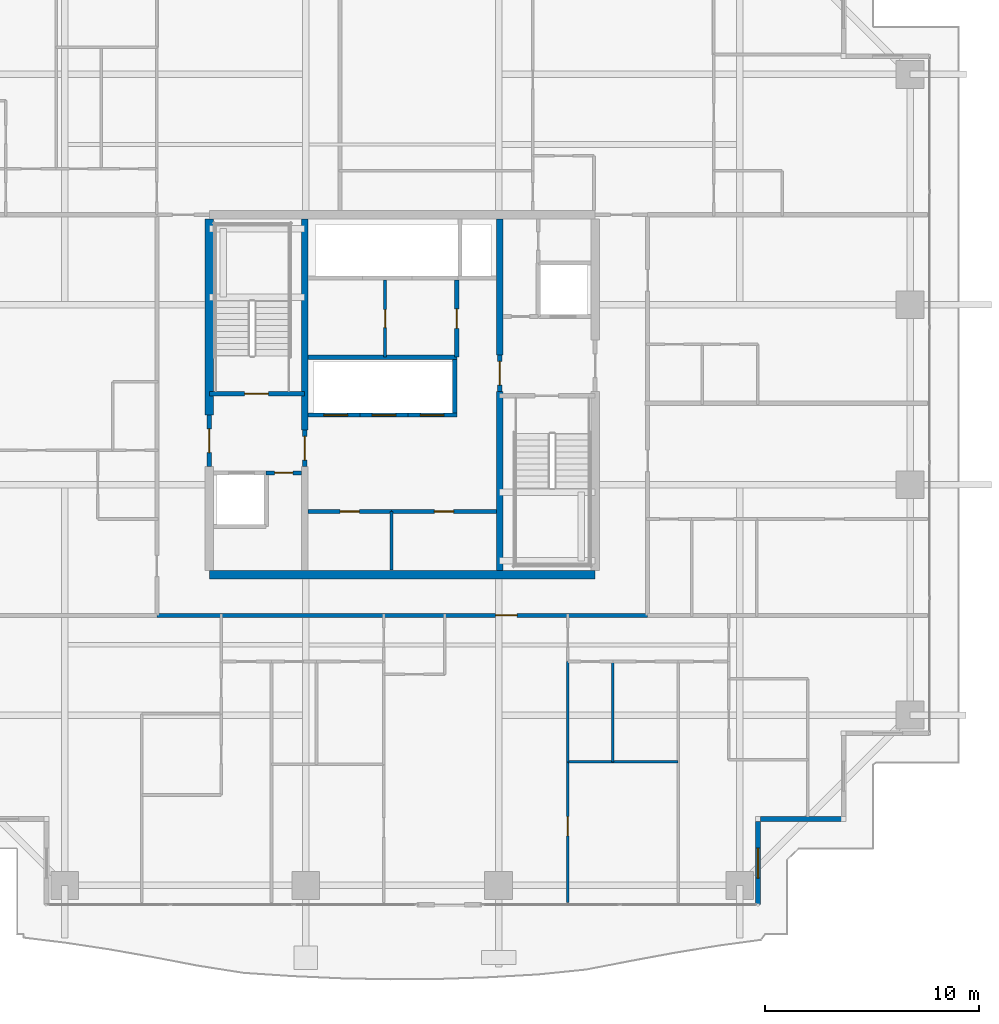
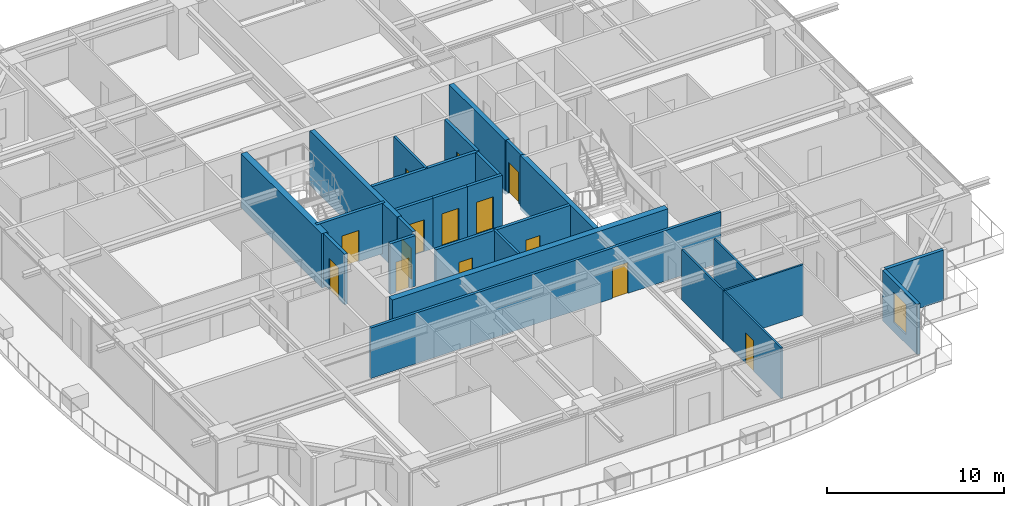
# One storey, part 25 of 34: 27 walls, 14 doors, 1 window, 15 openings.
"""IFC4 building model written with IfcOpenShell, lengths in metres."""

from ifc_helpers import new_model, si_unit, direction, frame, frame_2d, origin, place, context, subcontext, project, spatial, rectangle, extrude, source, transform, mapped, material, layer, layer_set, type_object, element, fill, save


model = new_model("IFC4")

# Units and contexts
model_context = context("Model", 3, precision=1e-05, world=origin(), true_north=direction((0.0, 1.0)))
body_context = subcontext(model_context, "Body", "Model", "MODEL_VIEW")
ifc_project = project(units=[si_unit("LENGTHUNIT", "METRE"), si_unit("AREAUNIT", "SQUARE_METRE"), si_unit("VOLUMEUNIT", "CUBIC_METRE"), si_unit("PLANEANGLEUNIT", "RADIAN"), si_unit("MASSUNIT", "GRAM", prefix="KILO")], contexts=[model_context])

# Site, building, storey
site_placement = place(None, origin())
site = spatial("IfcSite", under=ifc_project, at=site_placement, CompositionType="ELEMENT")
building_placement = place(site_placement, origin())
building = spatial("IfcBuilding", under=site, at=building_placement, Name="Serunith Strait Residences", CompositionType="ELEMENT")
storey_placement = place(building_placement, frame((0.0, 0.0, 187.64990234375)))
storey = spatial("IfcBuildingStorey", under=building, at=storey_placement, Name="L47", CompositionType="ELEMENT", Elevation=187.64990234375)

# Wall, opening, window
ifc_material_1 = material(Name="Pale-Champagne Aluminium Insulated Panel", Category="aluminium")
ifc_layer_1 = layer(ifc_material_1, 0.219970703125, Name="Pale-Champagne Aluminium Insulated Panel")
ifc_layer_set_1 = layer_set([ifc_layer_1], Name="Pale-Champagne Aluminium Insulated Panel")
wall_type_1 = type_object("IfcWallType", Name="EW-ALUM-220", PredefinedType="ELEMENTEDWALL", material=ifc_layer_set_1)
wall_1_placement = place(storey_placement, frame((49.0, 1.39990234375, 0.0), z_axis=(0.0, 0.0, 1.0), x_axis=(0.0, 1.0, 0.0)))
wall_1 = element("IfcWall", 1, at=wall_1_placement, inside=storey, type_object=wall_type_1, Name="L47 Girih Serrated Corner Wall 02", PredefinedType="ELEMENTEDWALL", context=body_context, shape_type="SweptSolid", body=[
    extrude(rectangle(XDim=3.89013671875, YDim=0.219970703125, at=frame_2d((1.945068359375, 0.0))), origin(), (0.0, 0.0, 1.0), 3.47509765625),
])
opening_1_placement = place(wall_1_placement, frame((1.2451171875, 0.0, 0.64990234375)))
opening_1 = element("IfcOpeningElement", 2, at=opening_1_placement, cuts=wall_1, Name="Opening W-03", PredefinedType="OPENING", context=body_context, shape_type="SweptSolid", body=[
    extrude(rectangle(XDim=1.39990234375, YDim=2.050048828125, at=frame_2d((0.699951171875, 1.02490234375))), frame((0.0, 0.1201171875, 0.0), z_axis=(0.0, -1.0, 0.0), x_axis=(1.0, 0.0, 0.0)), (0.0, 0.0, 1.0), 0.239990234375),
])
ifc_material_2 = material(Name="Ceramic-Fritted Operable Aluminium Window Glass", Category="aluminium")
window_type = type_object("IfcWindowType", Name="WIN-C3", PartitioningType="SINGLE_PANEL", PredefinedType="WINDOW", material=ifc_material_2)
shared_shape_1 = source(origin(), body_context, "Body", "SweptSolid", [
    extrude(rectangle(XDim=1.39990234375, YDim=2.050048828125, at=frame_2d((0.699951171875, 1.02490234375))), frame((0.0, 0.030029296875, 0.0), z_axis=(0.0, -1.0, 0.0), x_axis=(1.0, 0.0, 0.0)), (0.0, 0.0, 1.0), 0.06005859375),
])
window_placement = place(opening_1_placement, origin())
window = element("IfcWindow", 3, at=window_placement, inside=storey, type_object=window_type, Name="L47 Corner Operable Fritted Window 02", OverallHeight=2.050048828125, OverallWidth=1.39990234375, PartitioningType="SINGLE_PANEL", PredefinedType="WINDOW", context=body_context, shape_type="MappedRepresentation", body=[
    mapped(shared_shape_1, transform((0.0, 0.0, 0.0), scale=1.0)),
])
fill(opening_1, window)

# Wall
wall_2_placement = place(storey_placement, frame((49.110107421875, 5.39990234375, 0.0), z_axis=(0.0, 0.0, 1.0), x_axis=(1.0, 0.0, 0.0)))
element("IfcWall", 4, at=wall_2_placement, inside=storey, type_object=wall_type_1, Name="L47 Girih Serrated Corner Wall 03", PredefinedType="ELEMENTEDWALL", context=body_context, shape_type="SweptSolid", body=[
    extrude(rectangle(XDim=3.77978515625, YDim=0.219970703125, at=frame_2d((1.889892578125, 0.0))), origin(), (0.0, 0.0, 1.0), 3.47509765625),
])

# Wall, opening, door
ifc_material_3 = material(Name="Fire-rated masonry service closet wall", Category="masonry")
ifc_layer_2 = layer(ifc_material_3, 0.14990234375, Name="Fire-rated masonry service closet wall")
ifc_layer_set_2 = layer_set([ifc_layer_2], Name="Fire-rated masonry service closet wall")
wall_type_2 = type_object("IfcWallType", Name="IW-BOH-150", PredefinedType="PARTITIONING", material=ifc_layer_set_2)
wall_3_placement = place(storey_placement, frame((31.60009765625, 26.949951171875, 0.0), z_axis=(0.0, 0.0, 1.0), x_axis=(0.0, 1.0, 0.0)))
wall_3 = element("IfcWall", 5, at=wall_3_placement, inside=storey, type_object=wall_type_2, Name="L47 Partition Wall 014", PredefinedType="PARTITIONING", context=body_context, shape_type="SweptSolid", body=[
    extrude(rectangle(XDim=3.60009765625, YDim=0.14990234375, at=frame_2d((1.800048828125, 0.0))), origin(), (0.0, 0.0, 1.0), 3.489990234375),
])
opening_2_placement = place(wall_3_placement, frame((1.375, 0.0, 0.0)))
opening_2 = element("IfcOpeningElement", 6, at=opening_2_placement, cuts=wall_3, Name="Opening FD-850", PredefinedType="OPENING", context=body_context, shape_type="SweptSolid", body=[
    extrude(rectangle(XDim=0.85009765625, YDim=2.10009765625, at=frame_2d((0.425048828125, 1.050048828125))), frame((0.0, 0.0849609375, 0.0), z_axis=(0.0, -1.0, 0.0), x_axis=(1.0, 0.0, 0.0)), (0.0, 0.0, 1.0), 0.169921875),
])
ifc_material_4 = material(Name="Powder-coated steel service closet door", Category="steel")
door_type_1 = type_object("IfcDoorType", Name="FD-BOH-850", OperationType="NOTDEFINED", PredefinedType="DOOR", material=ifc_material_4)
shared_shape_2 = source(origin(), body_context, "Body", "SweptSolid", [
    extrude(rectangle(XDim=0.85009765625, YDim=2.10009765625, at=frame_2d((0.425048828125, 1.050048828125))), frame((0.0, 0.02490234375, 0.0), z_axis=(0.0, -1.0, 0.0), x_axis=(1.0, 0.0, 0.0)), (0.0, 0.0, 1.0), 0.050048828125),
])
door_1_placement = place(opening_2_placement, origin())
door_1 = element("IfcDoor", 7, at=door_1_placement, inside=storey, type_object=door_type_1, Name="L47 Zone Telecoms Door", OperationType="SINGLE_SWING_RIGHT", OverallHeight=2.10009765625, OverallWidth=0.85009765625, PredefinedType="DOOR", context=body_context, shape_type="MappedRepresentation", body=[
    mapped(shared_shape_2, transform((0.0, 0.0, 0.0), scale=1.0)),
])
fill(opening_2, door_1)

# Wall
wall_4_placement = place(storey_placement, frame((31.89990234375, 17.02001953125, 0.0), z_axis=(0.0, 0.0, 1.0), x_axis=(0.0, 1.0, 0.0)))
element("IfcWall", 8, at=wall_4_placement, inside=storey, type_object=wall_type_2, Name="L47 Partition Wall 017", PredefinedType="PARTITIONING", context=body_context, shape_type="SweptSolid", body=[
    extrude(rectangle(XDim=2.72998046875, YDim=0.14990234375, at=frame_2d((1.364990234375, 0.0))), origin(), (0.0, 0.0, 1.0), 3.489990234375),
])

# Wall, opening, door
ifc_material_5 = material(Name="Fire-rated acoustic gypsum partition")
ifc_layer_3 = layer(ifc_material_5, 0.179931640625, Name="Fire-rated acoustic gypsum partition")
ifc_layer_set_3 = layer_set([ifc_layer_3], Name="Fire-rated acoustic gypsum partition")
wall_type_3 = type_object("IfcWallType", Name="IW-CORR-180", PredefinedType="PARTITIONING", material=ifc_layer_set_3)
wall_5_placement = place(storey_placement, frame((20.951904296875, 14.89990234375, 0.0), z_axis=(0.0, 0.0, 1.0), x_axis=(1.0, 0.0, 0.0)))
wall_5 = element("IfcWall", 9, at=wall_5_placement, inside=storey, type_object=wall_type_3, Name="L47 Partition Wall 024", PredefinedType="PARTITIONING", context=body_context, shape_type="SweptSolid", body=[
    extrude(rectangle(XDim=22.89599609375, YDim=0.179931640625, at=frame_2d((11.447998046875, 0.0))), origin(), (0.0, 0.0, 1.0), 3.489990234375),
])
opening_3_placement = place(wall_5_placement, frame((15.80908203125, 0.0, 0.0)))
opening_3 = element("IfcOpeningElement", 10, at=opening_3_placement, cuts=wall_5, Name="Opening D-APT1000", PredefinedType="OPENING", context=body_context, shape_type="SweptSolid", body=[
    extrude(rectangle(XDim=1.0, YDim=2.14990234375, at=frame_2d((0.5, 1.074951171875))), frame((0.0, 0.10009765625, 0.0), z_axis=(0.0, -1.0, 0.0), x_axis=(1.0, 0.0, 0.0)), (0.0, 0.0, 1.0), 0.199951171875),
])
ifc_material_6 = material(Name="Solid timber engineered fire door", Category="wood")
door_type_2 = type_object("IfcDoorType", Name="ID-APT-1000", OperationType="NOTDEFINED", PredefinedType="DOOR", material=ifc_material_6)
shared_shape_3 = source(origin(), body_context, "Body", "SweptSolid", [
    extrude(rectangle(XDim=1.0, YDim=2.14990234375, at=frame_2d((0.5, 1.074951171875))), frame((0.0, 0.02490234375, 0.0), z_axis=(0.0, -1.0, 0.0), x_axis=(1.0, 0.0, 0.0)), (0.0, 0.0, 1.0), 0.050048828125),
])
door_2_placement = place(opening_3_placement, origin())
door_2 = element("IfcDoor", 11, at=door_2_placement, inside=storey, type_object=door_type_2, Name="L47 Unit 01 Entrance Door", OperationType="SINGLE_SWING_LEFT", OverallHeight=2.14990234375, OverallWidth=1.0, PredefinedType="DOOR", context=body_context, shape_type="MappedRepresentation", body=[
    mapped(shared_shape_3, transform((0.0, 0.0, 0.0), scale=1.0)),
])
fill(opening_3, door_2)

ifc_material_7 = material(Name="Lightweight steel-stud gypsum partition", Category="steel")
ifc_layer_4 = layer(ifc_material_7, 0.1201171875, Name="Lightweight steel-stud gypsum partition")
ifc_layer_set_4 = layer_set([ifc_layer_4], Name="Lightweight steel-stud gypsum partition")
wall_type_4 = type_object("IfcWallType", Name="IW-PART-120", PredefinedType="PARTITIONING", material=ifc_layer_set_4)
wall_6_placement = place(storey_placement, frame((40.1298828125, 1.4951171875, 0.0), z_axis=(0.0, 0.0, 1.0), x_axis=(0.0, 1.0, 0.0)))
wall_6 = element("IfcWall", 12, at=wall_6_placement, inside=storey, type_object=wall_type_4, Name="L47 Partition Wall 047", PredefinedType="PARTITIONING", context=body_context, shape_type="SweptSolid", body=[
    extrude(rectangle(XDim=6.56787109375, YDim=0.1201171875, at=frame_2d((3.283935546875, 0.0))), origin(), (0.0, 0.0, 1.0), 3.489990234375),
])
opening_4_placement = place(wall_6_placement, frame((3.116943359375, 0.0, 0.0)))
opening_4 = element("IfcOpeningElement", 13, at=opening_4_placement, cuts=wall_6, Name="Opening D-RM900", PredefinedType="OPENING", context=body_context, shape_type="SweptSolid", body=[
    extrude(rectangle(XDim=0.89990234375, YDim=2.10009765625, at=frame_2d((0.449951171875, 1.050048828125))), frame((0.0, 0.070068359375, 0.0), z_axis=(0.0, -1.0, 0.0), x_axis=(1.0, 0.0, 0.0)), (0.0, 0.0, 1.0), 0.14013671875),
])
ifc_material_8 = material(Name="Engineered timber flush bedroom door", Category="wood")
door_type_3 = type_object("IfcDoorType", Name="ID-ROOM-900", OperationType="NOTDEFINED", PredefinedType="DOOR", material=ifc_material_8)
shared_shape_4 = source(origin(), body_context, "Body", "SweptSolid", [
    extrude(rectangle(XDim=0.89990234375, YDim=2.10009765625, at=frame_2d((0.449951171875, 1.050048828125))), frame((0.0, 0.02490234375, 0.0), z_axis=(0.0, -1.0, 0.0), x_axis=(1.0, 0.0, 0.0)), (0.0, 0.0, 1.0), 0.050048828125),
])
door_3_placement = place(opening_4_placement, origin())
door_3 = element("IfcDoor", 14, at=door_3_placement, inside=storey, type_object=door_type_3, Name="L47 Formal Dining Room 3 4701 Door", OperationType="SINGLE_SWING_RIGHT", OverallHeight=2.10009765625, OverallWidth=0.89990234375, PredefinedType="DOOR", context=body_context, shape_type="MappedRepresentation", body=[
    mapped(shared_shape_4, transform((0.0, 0.0, 0.0), scale=1.0)),
])
fill(opening_4, door_3)

# Walls
wall_7_placement = place(storey_placement, frame((40.1298828125, 8.06494140625, 0.0), z_axis=(0.0, 0.0, 1.0), x_axis=(0.0, 1.0, 0.0)))
element("IfcWall", 15, at=wall_7_placement, inside=storey, type_object=wall_type_4, Name="L47 Partition Wall 048", PredefinedType="PARTITIONING", context=body_context, shape_type="SweptSolid", body=[
    extrude(rectangle(XDim=4.68310546875, YDim=0.1201171875, at=frame_2d((2.341552734375, 0.0))), origin(), (0.0, 0.0, 1.0), 3.489990234375),
])
wall_8_placement = place(storey_placement, frame((40.1298828125, 8.06298828125, 0.0), z_axis=(0.0, 0.0, 1.0), x_axis=(1.0, 0.0, 0.0)))
element("IfcWall", 16, at=wall_8_placement, inside=storey, type_object=wall_type_4, Name="L47 Partition Wall 049", PredefinedType="PARTITIONING", context=body_context, shape_type="SweptSolid", body=[
    extrude(rectangle(XDim=5.150146484375, YDim=0.1201171875, at=frame_2d((2.5751953125, 0.0))), origin(), (0.0, 0.0, 1.0), 3.489990234375),
])
wall_9_placement = place(storey_placement, frame((42.22998046875, 8.06298828125, 0.0), z_axis=(0.0, 0.0, 1.0), x_axis=(0.0, 1.0, 0.0)))
element("IfcWall", 17, at=wall_9_placement, inside=storey, type_object=wall_type_4, Name="L47 Partition Wall 051", PredefinedType="PARTITIONING", context=body_context, shape_type="SweptSolid", body=[
    extrude(rectangle(XDim=4.68701171875, YDim=0.1201171875, at=frame_2d((2.343505859375, 0.0))), origin(), (0.0, 0.0, 1.0), 3.489990234375),
])

# Wall, opening, door
ifc_material_9 = material(Name="Autoclaved aerated concrete blockwork", Category="masonry")
ifc_layer_5 = layer(ifc_material_9, 0.199951171875, Name="Autoclaved aerated concrete blockwork")
ifc_layer_set_5 = layer_set([ifc_layer_5], Name="Autoclaved aerated concrete blockwork")
wall_type_5 = type_object("IfcWallType", Name="IW-SHAFT-200", PredefinedType="STANDARD", material=ifc_layer_set_5)
wall_10_placement = place(storey_placement, frame((23.39990234375, 25.25, 0.0), z_axis=(0.0, 0.0, 1.0), x_axis=(1.0, 0.0, 0.0)))
wall_10 = element("IfcWall", 18, at=wall_10_placement, inside=storey, type_object=wall_type_5, Name="L47 ST-1 South Shaft Wall", PredefinedType="STANDARD", context=body_context, shape_type="SweptSolid", body=[
    extrude(rectangle(XDim=4.4501953125, YDim=0.199951171875, at=frame_2d((2.22509765625, 0.0))), origin(), (0.0, 0.0, 1.0), 3.489990234375),
])
opening_5_placement = place(wall_10_placement, frame((1.64990234375, 0.0, 0.0)))
opening_5 = element("IfcOpeningElement", 19, at=opening_5_placement, cuts=wall_10, Name="Opening FD-1100", PredefinedType="OPENING", context=body_context, shape_type="SweptSolid", body=[
    extrude(rectangle(XDim=1.10009765625, YDim=2.14990234375, at=frame_2d((0.550048828125, 1.074951171875))), frame((0.0, 0.10986328125, 0.0), z_axis=(0.0, -1.0, 0.0), x_axis=(1.0, 0.0, 0.0)), (0.0, 0.0, 1.0), 0.219970703125),
])
ifc_material_10 = material(Name="Galvanised steel fire door leaf", Category="steel")
door_type_4 = type_object("IfcDoorType", Name="FD-STAIR-1100", OperationType="NOTDEFINED", PredefinedType="DOOR", material=ifc_material_10)
shared_shape_5 = source(origin(), body_context, "Body", "SweptSolid", [
    extrude(rectangle(XDim=1.10009765625, YDim=2.14990234375, at=frame_2d((0.550048828125, 1.074951171875))), frame((0.0, 0.02490234375, 0.0), z_axis=(0.0, -1.0, 0.0), x_axis=(1.0, 0.0, 0.0)), (0.0, 0.0, 1.0), 0.050048828125),
])
door_4_placement = place(opening_5_placement, origin())
door_4 = element("IfcDoor", 20, at=door_4_placement, inside=storey, type_object=door_type_4, Name="L47 ST-1 Escape Stair Door", OperationType="SINGLE_SWING_LEFT", OverallHeight=2.14990234375, OverallWidth=1.10009765625, PredefinedType="DOOR", context=body_context, shape_type="MappedRepresentation", body=[
    mapped(shared_shape_5, transform((0.0, 0.0, 0.0), scale=1.0)),
])
fill(opening_5, door_4)

wall_11_placement = place(storey_placement, frame((28.0, 24.25, 0.0), z_axis=(0.0, 0.0, 1.0), x_axis=(1.0, 0.0, 0.0)))
wall_11 = element("IfcWall", 21, at=wall_11_placement, inside=storey, type_object=wall_type_5, Name="L47 PL-4 South Shaft Wall", PredefinedType="STANDARD", context=body_context, shape_type="SweptSolid", body=[
    extrude(rectangle(XDim=2.425048828125, YDim=0.199951171875, at=frame_2d((1.21240234375, 0.0))), origin(), (0.0, 0.0, 1.0), 3.489990234375),
])
opening_6_placement = place(wall_11_placement, frame((0.75, 0.0, 0.0)))
opening_6 = element("IfcOpeningElement", 22, at=opening_6_placement, cuts=wall_11, Name="Opening LD-1100", PredefinedType="OPENING", context=body_context, shape_type="SweptSolid", body=[
    extrude(rectangle(XDim=1.10009765625, YDim=2.199951171875, at=frame_2d((0.550048828125, 1.10009765625))), frame((0.0, 0.10986328125, 0.0), z_axis=(0.0, -1.0, 0.0), x_axis=(1.0, 0.0, 0.0)), (0.0, 0.0, 1.0), 0.219970703125),
])
ifc_material_11 = material(Name="Pale-champagne stainless landing door")
door_type_5 = type_object("IfcDoorType", Name="LD-LIFT-1100", OperationType="DOUBLE_DOOR_SLIDING", PredefinedType="DOOR", material=ifc_material_11)
shared_shape_6 = source(origin(), body_context, "Body", "SweptSolid", [
    extrude(rectangle(XDim=1.10009765625, YDim=2.199951171875, at=frame_2d((0.550048828125, 1.10009765625))), frame((0.0, 0.02490234375, 0.0), z_axis=(0.0, -1.0, 0.0), x_axis=(1.0, 0.0, 0.0)), (0.0, 0.0, 1.0), 0.050048828125),
])
door_5_placement = place(opening_6_placement, origin())
door_5 = element("IfcDoor", 23, at=door_5_placement, inside=storey, type_object=door_type_5, Name="L47 PL-4 Landing Door", OperationType="DOUBLE_DOOR_SLIDING", OverallHeight=2.199951171875, OverallWidth=1.10009765625, PredefinedType="DOOR", context=body_context, shape_type="MappedRepresentation", body=[
    mapped(shared_shape_6, transform((0.0, 0.0, 0.0), scale=1.0)),
])
fill(opening_6, door_5)

wall_12_placement = place(storey_placement, frame((30.425048828125, 24.25, 0.0), z_axis=(0.0, 0.0, 1.0), x_axis=(1.0, 0.0, 0.0)))
wall_12 = element("IfcWall", 24, at=wall_12_placement, inside=storey, type_object=wall_type_5, Name="L47 PL-5 South Shaft Wall", PredefinedType="STANDARD", context=body_context, shape_type="SweptSolid", body=[
    extrude(rectangle(XDim=2.25, YDim=0.199951171875, at=frame_2d((1.125, 0.0))), origin(), (0.0, 0.0, 1.0), 3.489990234375),
])
opening_7_placement = place(wall_12_placement, frame((0.574951171875, 0.0, 0.0)))
opening_7 = element("IfcOpeningElement", 25, at=opening_7_placement, cuts=wall_12, Name="Opening LD-1100", PredefinedType="OPENING", context=body_context, shape_type="SweptSolid", body=[
    extrude(rectangle(XDim=1.10009765625, YDim=2.199951171875, at=frame_2d((0.550048828125, 1.10009765625))), frame((0.0, 0.10986328125, 0.0), z_axis=(0.0, -1.0, 0.0), x_axis=(1.0, 0.0, 0.0)), (0.0, 0.0, 1.0), 0.219970703125),
])
door_6_placement = place(opening_7_placement, origin())
door_6 = element("IfcDoor", 26, at=door_6_placement, inside=storey, type_object=door_type_5, Name="L47 PL-5 Landing Door", OperationType="DOUBLE_DOOR_SLIDING", OverallHeight=2.199951171875, OverallWidth=1.10009765625, PredefinedType="DOOR", context=body_context, shape_type="MappedRepresentation", body=[
    mapped(shared_shape_6, transform((0.0, 0.0, 0.0), scale=1.0)),
])
fill(opening_7, door_6)

wall_13_placement = place(storey_placement, frame((32.675048828125, 24.25, 0.0), z_axis=(0.0, 0.0, 1.0), x_axis=(1.0, 0.0, 0.0)))
wall_13 = element("IfcWall", 27, at=wall_13_placement, inside=storey, type_object=wall_type_5, Name="L47 PL-6 South Shaft Wall", PredefinedType="STANDARD", context=body_context, shape_type="SweptSolid", body=[
    extrude(rectangle(XDim=2.27490234375, YDim=0.199951171875, at=frame_2d((1.137451171875, 0.0))), origin(), (0.0, 0.0, 1.0), 3.489990234375),
])
opening_8_placement = place(wall_13_placement, frame((0.574951171875, 0.0, 0.0)))
opening_8 = element("IfcOpeningElement", 28, at=opening_8_placement, cuts=wall_13, Name="Opening LD-1100", PredefinedType="OPENING", context=body_context, shape_type="SweptSolid", body=[
    extrude(rectangle(XDim=1.10009765625, YDim=2.199951171875, at=frame_2d((0.550048828125, 1.10009765625))), frame((0.0, 0.10986328125, 0.0), z_axis=(0.0, -1.0, 0.0), x_axis=(1.0, 0.0, 0.0)), (0.0, 0.0, 1.0), 0.219970703125),
])
door_7_placement = place(opening_8_placement, origin())
door_7 = element("IfcDoor", 29, at=door_7_placement, inside=storey, type_object=door_type_5, Name="L47 PL-6 Landing Door", OperationType="DOUBLE_DOOR_SLIDING", OverallHeight=2.199951171875, OverallWidth=1.10009765625, PredefinedType="DOOR", context=body_context, shape_type="MappedRepresentation", body=[
    mapped(shared_shape_6, transform((0.0, 0.0, 0.0), scale=1.0)),
])
fill(opening_8, door_7)

# Wall
wall_14_placement = place(storey_placement, frame((34.85009765625, 24.35009765625, 0.0), z_axis=(0.0, 0.0, 1.0), x_axis=(0.0, 1.0, 0.0)))
element("IfcWall", 30, at=wall_14_placement, inside=storey, type_object=wall_type_5, Name="L47 PL-6 East Shaft Wall", PredefinedType="STANDARD", context=body_context, shape_type="SweptSolid", body=[
    extrude(rectangle(XDim=2.5, YDim=0.199951171875, at=frame_2d((1.25, 0.0))), origin(), (0.0, 0.0, 1.0), 3.489990234375),
])

# Wall, opening, door
wall_15_placement = place(storey_placement, frame((26.052001953125, 21.550048828125, 0.0), z_axis=(0.0, 0.0, 1.0), x_axis=(1.0, 0.0, 0.0)))
wall_15 = element("IfcWall", 31, at=wall_15_placement, inside=storey, type_object=wall_type_5, Name="L47 Partition Wall 003", PredefinedType="STANDARD", context=body_context, shape_type="SweptSolid", body=[
    extrude(rectangle(XDim=1.64794921875, YDim=0.199951171875, at=frame_2d((0.823974609375, 0.0))), origin(), (0.0, 0.0, 1.0), 3.489990234375),
])
opening_9_placement = place(wall_15_placement, frame((0.39892578125, 0.0, 0.0)))
opening_9 = element("IfcOpeningElement", 32, at=opening_9_placement, cuts=wall_15, Name="Opening FD-850", PredefinedType="OPENING", context=body_context, shape_type="SweptSolid", body=[
    extrude(rectangle(XDim=0.85009765625, YDim=2.10009765625, at=frame_2d((0.425048828125, 1.050048828125))), frame((0.0, 0.10986328125, 0.0), z_axis=(0.0, -1.0, 0.0), x_axis=(1.0, 0.0, 0.0)), (0.0, 0.0, 1.0), 0.219970703125),
])
door_8_placement = place(opening_9_placement, origin())
door_8 = element("IfcDoor", 33, at=door_8_placement, inside=storey, type_object=door_type_1, Name="L47 South-West Core Service Door", OperationType="SINGLE_SWING_RIGHT", OverallHeight=2.10009765625, OverallWidth=0.85009765625, PredefinedType="DOOR", context=body_context, shape_type="MappedRepresentation", body=[
    mapped(shared_shape_2, transform((0.0, 0.0, 0.0), scale=1.0)),
])
fill(opening_9, door_8)

wall_16_placement = place(storey_placement, frame((23.39990234375, 21.85205078125, 0.0), z_axis=(0.0, 0.0, 1.0), x_axis=(0.0, 1.0, 0.0)))
wall_16 = element("IfcWall", 34, at=wall_16_placement, inside=storey, type_object=wall_type_5, Name="L47 Partition Wall 007", PredefinedType="STANDARD", context=body_context, shape_type="SweptSolid", body=[
    extrude(rectangle(XDim=2.39599609375, YDim=0.199951171875, at=frame_2d((1.197998046875, 0.0))), origin(), (0.0, 0.0, 1.0), 3.489990234375),
])
opening_10_placement = place(wall_16_placement, frame((0.64794921875, 0.0, 0.0)))
opening_10 = element("IfcOpeningElement", 35, at=opening_10_placement, cuts=wall_16, Name="Opening FD-FFL", PredefinedType="OPENING", context=body_context, shape_type="SweptSolid", body=[
    extrude(rectangle(XDim=1.10009765625, YDim=2.14990234375, at=frame_2d((0.550048828125, 1.074951171875))), frame((0.0, 0.10986328125, 0.0), z_axis=(0.0, -1.0, 0.0), x_axis=(1.0, 0.0, 0.0)), (0.0, 0.0, 1.0), 0.219970703125),
])
ifc_material_12 = material(Name="Glazed steel smoke-lobby fire door", Category="steel")
door_type_6 = type_object("IfcDoorType", Name="FD-FFL-1100", OperationType="NOTDEFINED", PredefinedType="DOOR", material=ifc_material_12)
door_9_placement = place(opening_10_placement, origin())
door_9 = element("IfcDoor", 36, at=door_9_placement, inside=storey, type_object=door_type_6, Name="L47 FFL-1 Corridor Fire Door", OperationType="SINGLE_SWING_RIGHT", OverallHeight=2.14990234375, OverallWidth=1.10009765625, PredefinedType="DOOR", context=body_context, shape_type="MappedRepresentation", body=[
    mapped(shared_shape_5, transform((0.0, 0.0, 0.0), scale=1.0)),
])
fill(opening_10, door_9)

wall_17_placement = place(storey_placement, frame((27.85009765625, 21.85205078125, 0.0), z_axis=(0.0, 0.0, 1.0), x_axis=(0.0, 1.0, 0.0)))
wall_17 = element("IfcWall", 37, at=wall_17_placement, inside=storey, type_object=wall_type_5, Name="L47 Partition Wall 009", PredefinedType="STANDARD", context=body_context, shape_type="SweptSolid", body=[
    extrude(rectangle(XDim=1.696044921875, YDim=0.199951171875, at=frame_2d((0.84814453125, 0.0))), origin(), (0.0, 0.0, 1.0), 3.489990234375),
])
opening_11_placement = place(wall_17_placement, frame((0.298095703125, 0.0, 0.0)))
opening_11 = element("IfcOpeningElement", 38, at=opening_11_placement, cuts=wall_17, Name="Opening FD-FFL", PredefinedType="OPENING", context=body_context, shape_type="SweptSolid", body=[
    extrude(rectangle(XDim=1.10009765625, YDim=2.14990234375, at=frame_2d((0.550048828125, 1.074951171875))), frame((0.0, 0.10986328125, 0.0), z_axis=(0.0, -1.0, 0.0), x_axis=(1.0, 0.0, 0.0)), (0.0, 0.0, 1.0), 0.219970703125),
])
door_10_placement = place(opening_11_placement, origin())
door_10 = element("IfcDoor", 39, at=door_10_placement, inside=storey, type_object=door_type_6, Name="L47 FFL-1 Lift Lobby Door", OperationType="SINGLE_SWING_RIGHT", OverallHeight=2.14990234375, OverallWidth=1.10009765625, PredefinedType="DOOR", context=body_context, shape_type="MappedRepresentation", body=[
    mapped(shared_shape_5, transform((0.0, 0.0, 0.0), scale=1.0)),
])
fill(opening_11, door_10)

wall_18_placement = place(storey_placement, frame((36.949951171875, 25.35205078125, 0.0), z_axis=(0.0, 0.0, 1.0), x_axis=(0.0, 1.0, 0.0)))
wall_18 = element("IfcWall", 40, at=wall_18_placement, inside=storey, type_object=wall_type_5, Name="L47 Partition Wall 010", PredefinedType="STANDARD", context=body_context, shape_type="SweptSolid", body=[
    extrude(rectangle(XDim=1.696044921875, YDim=0.199951171875, at=frame_2d((0.84814453125, 0.0))), origin(), (0.0, 0.0, 1.0), 3.489990234375),
])
opening_12_placement = place(wall_18_placement, frame((0.298095703125, 0.0, 0.0)))
opening_12 = element("IfcOpeningElement", 41, at=opening_12_placement, cuts=wall_18, Name="Opening FD-FFL", PredefinedType="OPENING", context=body_context, shape_type="SweptSolid", body=[
    extrude(rectangle(XDim=1.10009765625, YDim=2.14990234375, at=frame_2d((0.550048828125, 1.074951171875))), frame((0.0, 0.10986328125, 0.0), z_axis=(0.0, -1.0, 0.0), x_axis=(1.0, 0.0, 0.0)), (0.0, 0.0, 1.0), 0.219970703125),
])
door_11_placement = place(opening_12_placement, origin())
door_11 = element("IfcDoor", 42, at=door_11_placement, inside=storey, type_object=door_type_6, Name="L47 FFL-2 Lift Lobby Door", OperationType="SINGLE_SWING_LEFT", OverallHeight=2.14990234375, OverallWidth=1.10009765625, PredefinedType="DOOR", context=body_context, shape_type="MappedRepresentation", body=[
    mapped(shared_shape_5, transform((0.0, 0.0, 0.0), scale=1.0)),
])
fill(opening_12, door_11)

# Wall
wall_19_placement = place(storey_placement, frame((28.0, 26.949951171875, 0.0), z_axis=(0.0, 0.0, 1.0), x_axis=(1.0, 0.0, 0.0)))
element("IfcWall", 43, at=wall_19_placement, inside=storey, type_object=wall_type_5, Name="L47 Partition Wall 011", PredefinedType="STANDARD", context=body_context, shape_type="SweptSolid", body=[
    extrude(rectangle(XDim=6.949951171875, YDim=0.199951171875, at=frame_2d((3.47509765625, 0.0))), origin(), (0.0, 0.0, 1.0), 3.489990234375),
])

# Wall, opening, door
wall_20_placement = place(storey_placement, frame((34.949951171875, 26.949951171875, 0.0), z_axis=(0.0, 0.0, 1.0), x_axis=(0.0, 1.0, 0.0)))
wall_20 = element("IfcWall", 44, at=wall_20_placement, inside=storey, type_object=wall_type_5, Name="L47 Partition Wall 013", PredefinedType="STANDARD", context=body_context, shape_type="SweptSolid", body=[
    extrude(rectangle(XDim=3.60009765625, YDim=0.199951171875, at=frame_2d((1.800048828125, 0.0))), origin(), (0.0, 0.0, 1.0), 3.489990234375),
])
opening_13_placement = place(wall_20_placement, frame((1.35009765625, 0.0, 0.0)))
opening_13 = element("IfcOpeningElement", 45, at=opening_13_placement, cuts=wall_20, Name="Opening FD-900", PredefinedType="OPENING", context=body_context, shape_type="SweptSolid", body=[
    extrude(rectangle(XDim=0.89990234375, YDim=2.10009765625, at=frame_2d((0.449951171875, 1.050048828125))), frame((0.0, 0.10986328125, 0.0), z_axis=(0.0, -1.0, 0.0), x_axis=(1.0, 0.0, 0.0)), (0.0, 0.0, 1.0), 0.219970703125),
])
ifc_material_13 = material(Name="Powder-coated steel riser door", Category="steel")
door_type_7 = type_object("IfcDoorType", Name="FD-BOH-900", OperationType="NOTDEFINED", PredefinedType="DOOR", material=ifc_material_13)
door_12_placement = place(opening_13_placement, origin())
door_12 = element("IfcDoor", 46, at=door_12_placement, inside=storey, type_object=door_type_7, Name="L47 Central Comms Door", OperationType="SINGLE_SWING_LEFT", OverallHeight=2.10009765625, OverallWidth=0.89990234375, PredefinedType="DOOR", context=body_context, shape_type="MappedRepresentation", body=[
    mapped(shared_shape_4, transform((0.0, 0.0, 0.0), scale=1.0)),
])
fill(opening_13, door_12)

wall_21_placement = place(storey_placement, frame((28.0, 19.75, 0.0), z_axis=(0.0, 0.0, 1.0), x_axis=(1.0, 0.0, 0.0)))
wall_21 = element("IfcWall", 47, at=wall_21_placement, inside=storey, type_object=wall_type_5, Name="L47 Partition Wall 015", PredefinedType="STANDARD", context=body_context, shape_type="SweptSolid", body=[
    extrude(rectangle(XDim=3.89990234375, YDim=0.199951171875, at=frame_2d((1.949951171875, 0.0))), origin(), (0.0, 0.0, 1.0), 3.489990234375),
])
opening_14_placement = place(wall_21_placement, frame((1.5, 0.0, 0.0)))
opening_14 = element("IfcOpeningElement", 48, at=opening_14_placement, cuts=wall_21, Name="Opening FD-900", PredefinedType="OPENING", context=body_context, shape_type="SweptSolid", body=[
    extrude(rectangle(XDim=0.89990234375, YDim=2.10009765625, at=frame_2d((0.449951171875, 1.050048828125))), frame((0.0, 0.10986328125, 0.0), z_axis=(0.0, -1.0, 0.0), x_axis=(1.0, 0.0, 0.0)), (0.0, 0.0, 1.0), 0.219970703125),
])
door_13_placement = place(opening_14_placement, origin())
door_13 = element("IfcDoor", 49, at=door_13_placement, inside=storey, type_object=door_type_7, Name="L47 Housekeeping Store Door", OperationType="SINGLE_SWING_LEFT", OverallHeight=2.10009765625, OverallWidth=0.89990234375, PredefinedType="DOOR", context=body_context, shape_type="MappedRepresentation", body=[
    mapped(shared_shape_4, transform((0.0, 0.0, 0.0), scale=1.0)),
])
fill(opening_14, door_13)

wall_22_placement = place(storey_placement, frame((31.902099609375, 19.75, 0.0), z_axis=(0.0, 0.0, 1.0), x_axis=(1.0, 0.0, 0.0)))
wall_22 = element("IfcWall", 50, at=wall_22_placement, inside=storey, type_object=wall_type_5, Name="L47 Partition Wall 016", PredefinedType="STANDARD", context=body_context, shape_type="SweptSolid", body=[
    extrude(rectangle(XDim=4.89794921875, YDim=0.199951171875, at=frame_2d((2.448974609375, 0.0))), origin(), (0.0, 0.0, 1.0), 3.489990234375),
])
opening_15_placement = place(wall_22_placement, frame((1.9990234375, 0.0, 0.0)))
opening_15 = element("IfcOpeningElement", 51, at=opening_15_placement, cuts=wall_22, Name="Opening FD-900", PredefinedType="OPENING", context=body_context, shape_type="SweptSolid", body=[
    extrude(rectangle(XDim=0.89990234375, YDim=2.10009765625, at=frame_2d((0.449951171875, 1.050048828125))), frame((0.0, 0.10986328125, 0.0), z_axis=(0.0, -1.0, 0.0), x_axis=(1.0, 0.0, 0.0)), (0.0, 0.0, 1.0), 0.219970703125),
])
door_14_placement = place(opening_15_placement, origin())
door_14 = element("IfcDoor", 52, at=door_14_placement, inside=storey, type_object=door_type_7, Name="L47 High-Rise Meter Door", OperationType="SINGLE_SWING_RIGHT", OverallHeight=2.10009765625, OverallWidth=0.89990234375, PredefinedType="DOOR", context=body_context, shape_type="MappedRepresentation", body=[
    mapped(shared_shape_4, transform((0.0, 0.0, 0.0), scale=1.0)),
])
fill(opening_15, door_14)

# Walls
ifc_material_14 = material(Name="Concrete C70/85", Category="concrete")
ifc_layer_6 = layer(ifc_material_14, 0.300048828125, Name="Concrete C70/85")
ifc_layer_set_6 = layer_set([ifc_layer_6], Name="Concrete C70/85")
wall_type_6 = type_object("IfcWallType", Name="SW-300-C70", PredefinedType="SHEAR", material=ifc_layer_set_6)
wall_23_placement = place(storey_placement, frame((27.85009765625, 23.550048828125, -0.260009765625), z_axis=(0.0, 0.0, 1.0), x_axis=(0.0, 1.0, 0.0)))
element("IfcWall", 53, at=wall_23_placement, inside=storey, type_object=wall_type_6, Name="L47 Core Internal West Web North Pier", PredefinedType="SHEAR", context=body_context, shape_type="SweptSolid", body=[
    extrude(rectangle(XDim=9.849853515625, YDim=0.300048828125, at=frame_2d((4.9248046875, 0.0))), origin(), (0.0, 0.0, 1.0), 3.748046875),
])
wall_24_placement = place(storey_placement, frame((36.949951171875, 17.0, -0.260009765625), z_axis=(0.0, 0.0, 1.0), x_axis=(0.0, 1.0, 0.0)))
element("IfcWall", 54, at=wall_24_placement, inside=storey, type_object=wall_type_6, Name="L47 Core Internal East Web South Pier", PredefinedType="SHEAR", context=body_context, shape_type="SweptSolid", body=[
    extrude(rectangle(XDim=8.35009765625, YDim=0.300048828125, at=frame_2d((4.175048828125, 0.0))), origin(), (0.0, 0.0, 1.0), 3.748046875),
])
wall_25_placement = place(storey_placement, frame((36.949951171875, 27.050048828125, -0.260009765625), z_axis=(0.0, 0.0, 1.0), x_axis=(0.0, 1.0, 0.0)))
element("IfcWall", 55, at=wall_25_placement, inside=storey, type_object=wall_type_6, Name="L47 Core Internal East Web North Pier", PredefinedType="SHEAR", context=body_context, shape_type="SweptSolid", body=[
    extrude(rectangle(XDim=6.349853515625, YDim=0.300048828125, at=frame_2d((3.1748046875, 0.0))), origin(), (0.0, 0.0, 1.0), 3.748046875),
])
ifc_layer_7 = layer(ifc_material_14, 0.39990234375, Name="Concrete C70/85")
ifc_layer_set_7 = layer_set([ifc_layer_7], Name="Concrete C70/85")
wall_type_7 = type_object("IfcWallType", Name="SW-400-C70", PredefinedType="SHEAR", material=ifc_layer_set_7)
wall_26_placement = place(storey_placement, frame((23.39990234375, 16.800048828125, -0.260009765625), z_axis=(0.0, 0.0, 1.0), x_axis=(1.0, 0.0, 0.0)))
element("IfcWall", 56, at=wall_26_placement, inside=storey, type_object=wall_type_7, Name="L47 Core South Shear Wall", PredefinedType="SHEAR", context=body_context, shape_type="SweptSolid", body=[
    extrude(rectangle(XDim=18.0, YDim=0.39990234375, at=frame_2d((9.0, 0.0))), origin(), (0.0, 0.0, 1.0), 3.748046875),
])
wall_27_placement = place(storey_placement, frame((23.39990234375, 24.25, -0.260009765625), z_axis=(0.0, 0.0, 1.0), x_axis=(0.0, 1.0, 0.0)))
element("IfcWall", 57, at=wall_27_placement, inside=storey, type_object=wall_type_7, Name="L47 Core West Shear Wall North Pier", PredefinedType="SHEAR", context=body_context, shape_type="SweptSolid", body=[
    extrude(rectangle(XDim=9.14990234375, YDim=0.39990234375, at=frame_2d((4.574951171875, 0.0))), origin(), (0.0, 0.0, 1.0), 3.748046875),
])

save(model, "model.ifc")
